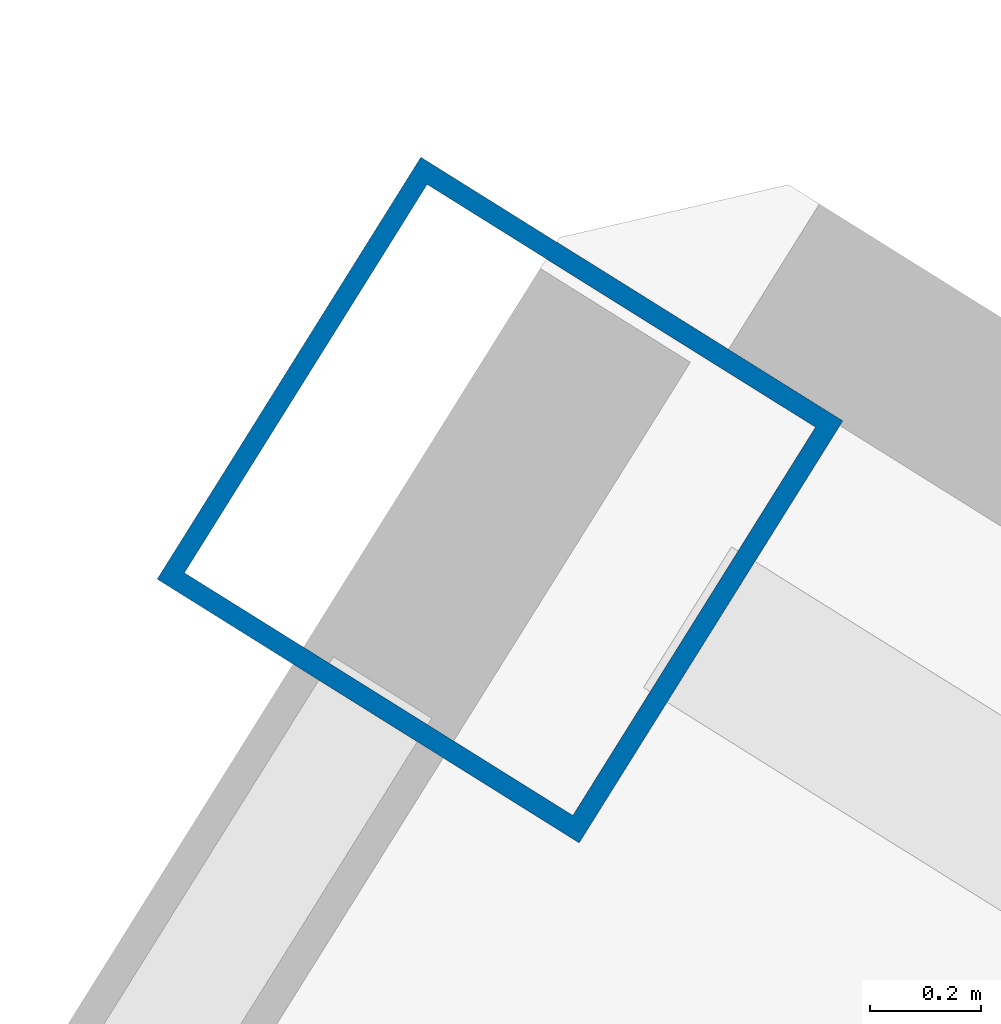
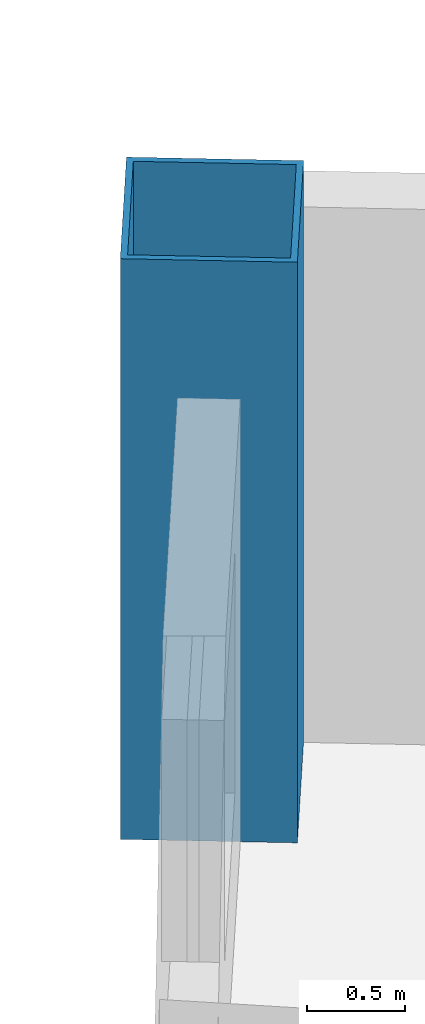
# One storey, part 3 of 18: 1 column.
"""IFC4 building model written with IfcOpenShell, lengths in metres."""

from ifc_helpers import new_model, si_unit, direction, frame, origin, origin_2d, place, context, subcontext, project, spatial, hollow_rectangle, extrude, source, transform, mapped, material, material_profile, profile_set, type_object, element, save


model = new_model("IFC4")

# Units and contexts
model_context = context("Model", 3, precision=1e-05, world=origin(), true_north=direction((0.0, 1.0)))
body_context = subcontext(model_context, "Body", "Model", "MODEL_VIEW")
ifc_project = project(units=[si_unit("LENGTHUNIT", "METRE"), si_unit("AREAUNIT", "SQUARE_METRE"), si_unit("VOLUMEUNIT", "CUBIC_METRE"), si_unit("PLANEANGLEUNIT", "RADIAN"), si_unit("MASSUNIT", "GRAM", prefix="KILO")], contexts=[model_context])

# Site, building, storey
site_placement = place(None, origin())
site = spatial("IfcSite", under=ifc_project, at=site_placement, CompositionType="ELEMENT")
building_placement = place(site_placement, origin())
building = spatial("IfcBuilding", under=site, at=building_placement, Name="Tlacorven Tower", CompositionType="ELEMENT")
storey_placement = place(building_placement, frame((0.0, 0.0, 132.60009765625)))
storey = spatial("IfcBuildingStorey", under=building, at=storey_placement, Name="L33", CompositionType="ELEMENT", Elevation=132.60009765625)

# Column
ifc_material = material(Name="Steel S460M", Category="steel")
ifc_material_profile = material_profile(ifc_material, hollow_rectangle(XDim=0.89990234375, YDim=0.89990234375, WallThickness=0.035888671875, at=origin_2d()), Name="BOX 900X900X36")
ifc_profile_set = profile_set([ifc_material_profile], Name="Steel S460M")
column_type = type_object("IfcColumnType", Name="COL-TWR-S2", PredefinedType="COLUMN", material=ifc_profile_set)
shared_shape = source(origin(), body_context, "Body", "SweptSolid", [
    extrude(hollow_rectangle(XDim=0.89990234375, YDim=0.89990234375, WallThickness=0.035888671875, at=origin_2d()), origin(), (0.0, 0.0, 1.0), 3.599853515625),
])
column_placement = place(storey_placement, frame((13.6455078125, 41.42578125, 0.0), z_axis=(0.0, 0.0, 1.0), x_axis=(-0.848048096156, 0.529919264233, 0.0)))
element("IfcColumn", 1, at=column_placement, inside=storey, type_object=column_type, Name="L33 column COL-L33-W6-1", PredefinedType="COLUMN", context=body_context, shape_type="MappedRepresentation", body=[
    mapped(shared_shape, transform((0.0, 0.0, 0.0), scale=1.0)),
])

save(model, "model.ifc")
